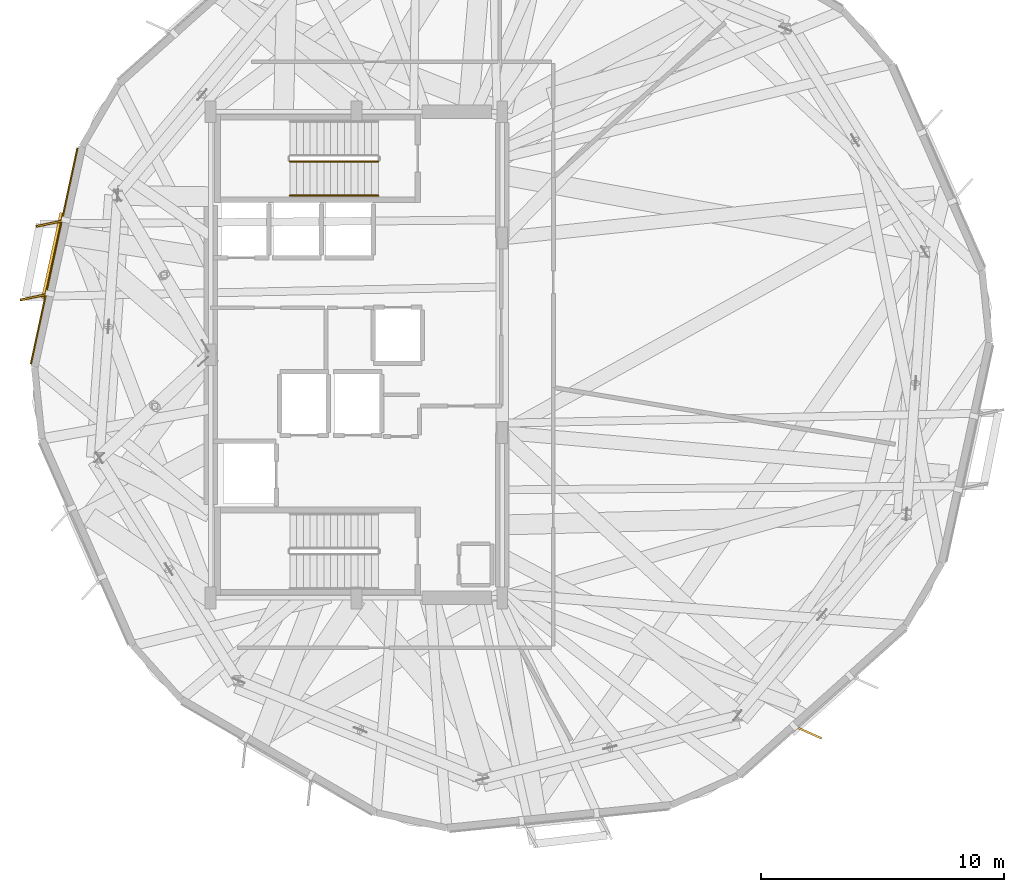
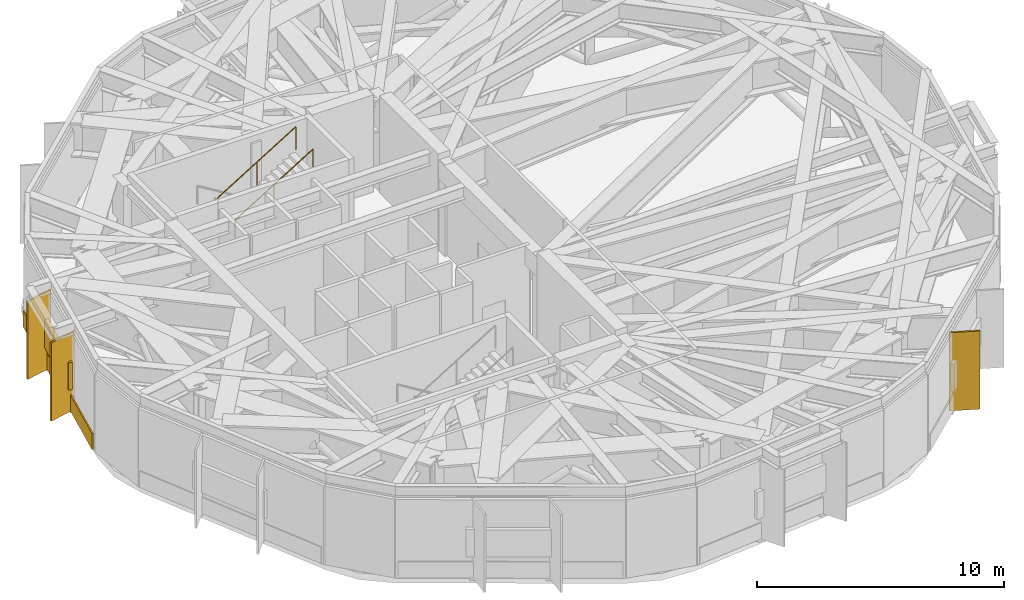
# One storey, part 12 of 14: 4 shading devices, 2 railings, 1 covering.
"""IFC4 building model written with IfcOpenShell, lengths in metres."""

from ifc_helpers import new_model, si_unit, direction, frame, origin, origin_2d, place, context, subcontext, project, spatial, rectangle, circle, extrude, material, layer, layer_set, type_object, element, save


model = new_model("IFC4")

# Units and contexts
model_context = context("Model", 3, precision=1e-05, world=origin(), true_north=direction((0.0, 1.0)))
body_context = subcontext(model_context, "Body", "Model", "MODEL_VIEW")
ifc_project = project(units=[si_unit("LENGTHUNIT", "METRE"), si_unit("AREAUNIT", "SQUARE_METRE"), si_unit("VOLUMEUNIT", "CUBIC_METRE"), si_unit("PLANEANGLEUNIT", "RADIAN"), si_unit("MASSUNIT", "GRAM", prefix="KILO")], contexts=[model_context])

# Site, building, storey
site_placement = place(None, origin())
site = spatial("IfcSite", under=ifc_project, at=site_placement, CompositionType="ELEMENT")
building_placement = place(site_placement, origin())
building = spatial("IfcBuilding", under=site, at=building_placement, Name="Soratama Intermodal Tower", CompositionType="ELEMENT")
storey_placement = place(building_placement, frame((0.0, 0.0, 185.800048828125)))
storey = spatial("IfcBuildingStorey", under=building, at=storey_placement, Name="L46", CompositionType="ELEMENT", Elevation=185.800048828125)

# Covering
ifc_material_1 = material(Name="Honed Andean limestone cladding", Category="masonry")
ifc_layer_1 = layer(ifc_material_1, 0.06005859375)
ifc_layer_set_1 = layer_set([ifc_layer_1], Name="Honed Andean limestone cladding")
covering_type = type_object("IfcCoveringType", Name="CV-STONE-CLAD", PredefinedType="CLADDING", material=ifc_layer_set_1)
covering_placement = place(storey_placement, frame((26.167236328125, 29.06494140625, 0.0498046875), z_axis=(0.0, 0.0, 1.0), x_axis=(-0.210983601077, -0.977489601007, 0.0)))
element("IfcCovering", 1, at=covering_placement, inside=storey, type_object=covering_type, Name="L46 Stone Cladding F04", PredefinedType="CLADDING", context=body_context, shape_type="SweptSolid", body=[
    extrude(rectangle(XDim=9.08740234375, YDim=0.06005859375, at=origin_2d()), origin(), (0.0, 0.0, 1.0), 0.800048828125),
])

# Railings
ifc_material_2 = material(Name="Painted steel stair guardrail", Category="steel")
railing_type_1 = type_object("IfcRailingType", Name="RL-STAIR-GUARD", PredefinedType="GUARDRAIL", material=ifc_material_2)
railing_1_placement = place(storey_placement, frame((35.860107421875, 32.949951171875, 2.5712890625)))
element("IfcRailing", 2, at=railing_1_placement, inside=storey, type_object=railing_type_1, Name="L46 ST-2 stair guard 3", PredefinedType="GUARDRAIL", context=body_context, shape_type="SweptSolid", body=[
    extrude(circle(Radius=0.02392578125, at=origin_2d()), frame((0.0, 0.0, 1.1259765625), z_axis=(0.852824790078, 0.0, 0.522197163366), x_axis=(0.0, 1.0, 0.0)), (0.0, 0.0, 1.0), 4.26806640625),
    extrude(circle(Radius=0.02099609375, at=origin_2d()), origin(), (0.0, 0.0, 1.0), 1.101806640625),
    extrude(circle(Radius=0.02099609375, at=origin_2d()), frame((1.81982421875, 0.0, 1.1142578125)), (0.0, 0.0, 1.0), 1.101806640625),
    extrude(circle(Radius=0.02099609375, at=origin_2d()), frame((3.639892578125, 0.0, 2.228759765625)), (0.0, 0.0, 1.0), 1.101806640625),
])
ifc_material_3 = material(Name="Brushed stainless steel handrail", Category="steel")
railing_type_2 = type_object("IfcRailingType", Name="RL-STAIR-HAND", PredefinedType="HANDRAIL", material=ifc_material_3)
railing_2_placement = place(storey_placement, frame((35.860107421875, 31.550048828125, 2.5712890625)))
element("IfcRailing", 3, at=railing_2_placement, inside=storey, type_object=railing_type_2, Name="L46 ST-2 stair handrail 2", PredefinedType="HANDRAIL", context=body_context, shape_type="SweptSolid", body=[
    extrude(circle(Radius=0.02392578125, at=origin_2d()), frame((0.0, 0.0, 0.8759765625), z_axis=(0.852824790078, 0.0, 0.522197163366), x_axis=(0.0, 1.0, 0.0)), (0.0, 0.0, 1.0), 4.26806640625),
    extrude(circle(Radius=0.02099609375, at=origin_2d()), origin(), (0.0, 0.0, 1.0), 0.851806640625),
    extrude(circle(Radius=0.02099609375, at=origin_2d()), frame((1.81982421875, 0.0, 1.1142578125)), (0.0, 0.0, 1.0), 0.851806640625),
    extrude(circle(Radius=0.02099609375, at=origin_2d()), frame((3.639892578125, 0.0, 2.228759765625)), (0.0, 0.0, 1.0), 0.851806640625),
])

# Shading devices
ifc_material_4 = material(Name="Champagne anodised aluminium solar fin", Category="aluminium")
ifc_layer_2 = layer(ifc_material_4, 0.080078125)
ifc_layer_set_2 = layer_set([ifc_layer_2], Name="Champagne anodised aluminium solar fin")
shading_device_type_1 = type_object("IfcShadingDeviceType", Name="SH-FIN-1250", PredefinedType="USERDEFINED", material=ifc_layer_set_2)
for number, where, z_axis, x_axis, name in (
    (4, (26.033447265625, 30.408935546875, 0.02001953125), (0.0, 0.0, 1.0), (-0.978795946539, -0.204837728554, 0.0), "L46 Solar Fin F04-1"),
    (5, (25.38037109375, 27.3828125, 0.02001953125), (0.0, 0.0, 1.0), (-0.978795946539, -0.204837728554, 0.0), "L46 Solar Fin F04-2"),
    (6, (57.1650390625, 9.475830078125, 0.02001953125), (0.0, 0.0, 1.0), (0.912263150732, -0.40960461889, 0.0), "L46 Solar Fin F08-1"),
):
    element("IfcShadingDevice", number, at=place(storey_placement, frame(where, z_axis=z_axis, x_axis=x_axis)), inside=storey, type_object=shading_device_type_1, Name=name, ObjectType="FIN", PredefinedType="USERDEFINED", context=body_context, shape_type="SweptSolid", body=[
        extrude(rectangle(XDim=1.25, YDim=0.080078125, at=origin_2d()), origin(), (0.0, 0.0, 1.0), 3.85888671875),
    ])
ifc_material_5 = material(Name="Anodised aluminium weather louvre", Category="aluminium")
ifc_layer_3 = layer(ifc_material_5, 0.1201171875)
ifc_layer_set_3 = layer_set([ifc_layer_3], Name="Anodised aluminium weather louvre")
shading_device_type_2 = type_object("IfcShadingDeviceType", Name="SH-LOUVRE-PLANT", PredefinedType="JALOUSIE", material=ifc_layer_set_3)
shading_device_placement = place(storey_placement, frame((26.1083984375, 29.07763671875, 1.1748046875), z_axis=(0.0, 0.0, 1.0), x_axis=(-0.210983601077, -0.977489601007, 0.0)))
element("IfcShadingDevice", 7, at=shading_device_placement, inside=storey, type_object=shading_device_type_2, Name="L46 Acoustic Louvre F04", PredefinedType="JALOUSIE", context=body_context, shape_type="SweptSolid", body=[
    extrude(rectangle(XDim=3.60009765625, YDim=0.179931640625, at=origin_2d()), origin(), (0.0, 0.0, 1.0), 1.35009765625),
])

save(model, "model.ifc")
